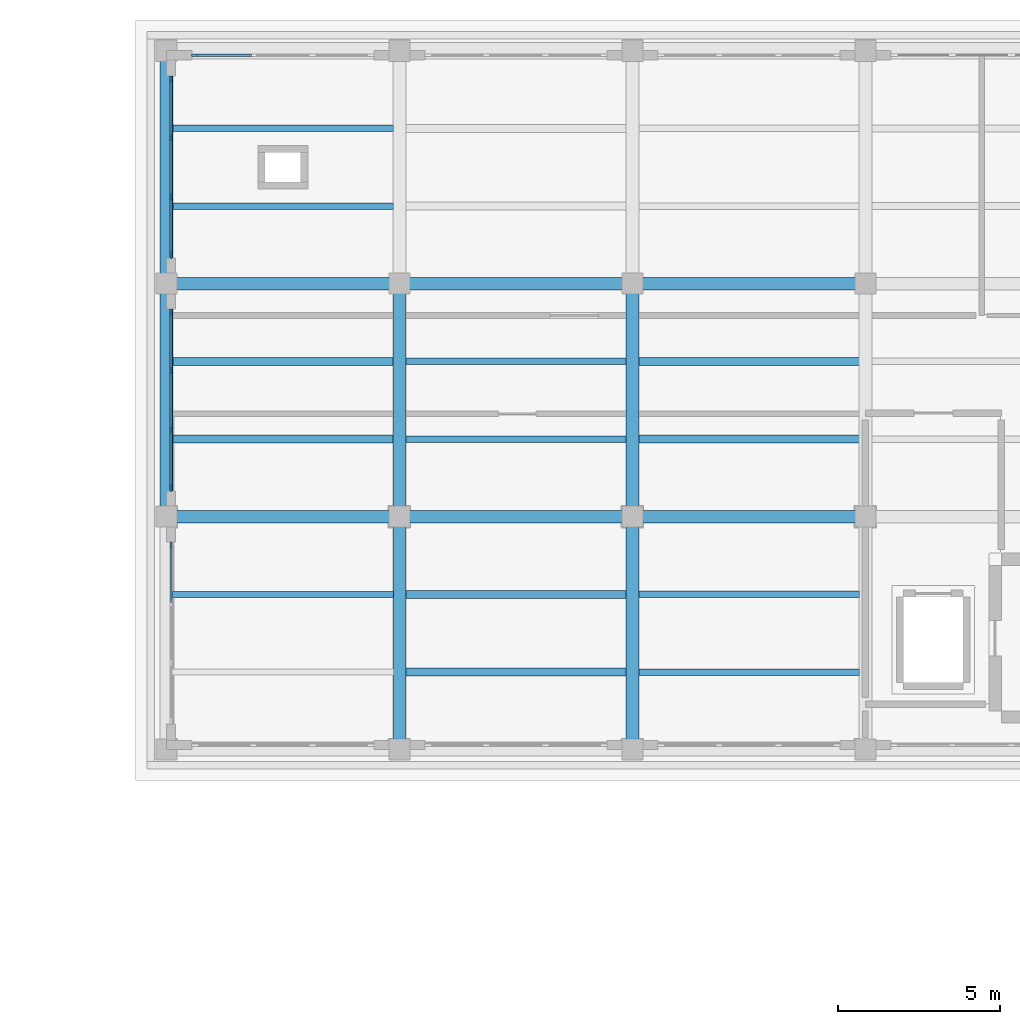
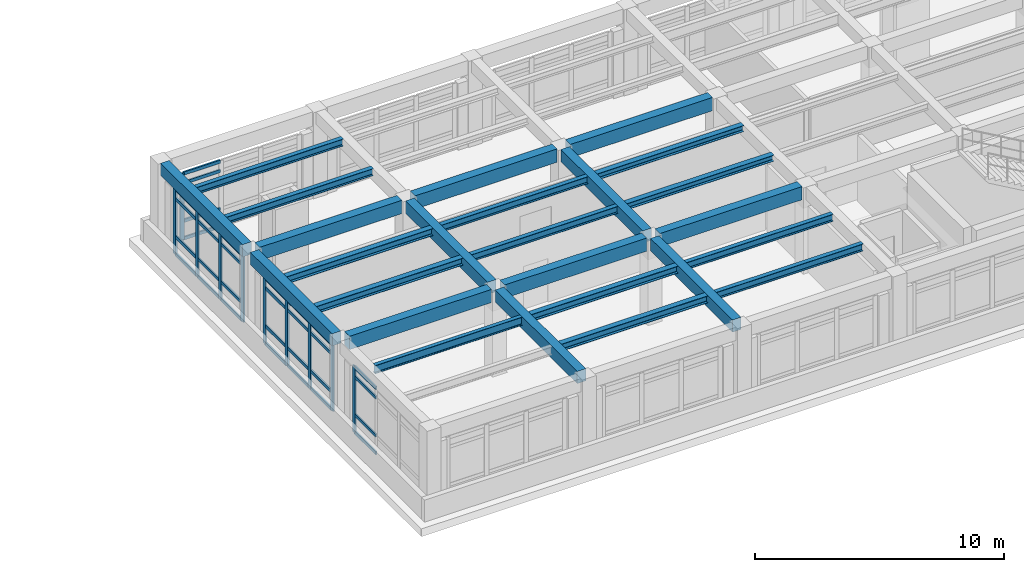
# One storey, part 23 of 55: 42 members, 25 beams, 4 elements without a shape of their own.
"""IFC4 building model written with IfcOpenShell, lengths in metres."""

from ifc_helpers import new_model, si_unit, direction, frame, origin, origin_2d, place, context, subcontext, project, spatial, rectangle, i_section, extrude, material, layer, layer_set, material_profile, profile_set, type_object, element, aggregate, save


model = new_model("IFC4")

# Units and contexts
model_context = context("Model", 3, precision=1e-05, world=origin(), true_north=direction((0.0, 1.0)))
body_context = subcontext(model_context, "Body", "Model", "MODEL_VIEW")
ifc_project = project(units=[si_unit("LENGTHUNIT", "METRE"), si_unit("AREAUNIT", "SQUARE_METRE"), si_unit("VOLUMEUNIT", "CUBIC_METRE"), si_unit("PLANEANGLEUNIT", "RADIAN"), si_unit("MASSUNIT", "GRAM", prefix="KILO")], contexts=[model_context])

# Site, building, storey
site_placement = place(None, origin())
site = spatial("IfcSite", under=ifc_project, at=site_placement, CompositionType="ELEMENT")
building_placement = place(site_placement, origin())
building = spatial("IfcBuilding", under=site, at=building_placement, Name="Solenvale Faculty of Natural Sciences", CompositionType="ELEMENT")
storey_placement = place(building_placement, frame((0.0, 0.0, 22.5)))
storey = spatial("IfcBuildingStorey", under=building, at=storey_placement, Name="L05", CompositionType="ELEMENT", Elevation=22.5)

# Beams
ifc_material_1 = material(Name="Concrete 40 MPa", Category="concrete")
ifc_material_profile_1 = material_profile(ifc_material_1, rectangle(XDim=0.39990234375, YDim=0.60009765625, at=origin_2d()), Name="RC-BM-400x600")
ifc_profile_set_1 = profile_set([ifc_material_profile_1], Name="Concrete 40 MPa")
beam_type_1 = type_object("IfcBeamType", Name="BM-RC-400x600", PredefinedType="BEAM", material=ifc_profile_set_1)
for number, where, z_axis, x_axis, name in (
    (1, (79.199951171875, 101.10498046875, 3.919921875), (0.0, 1.0, 0.0), (-1.0, 0.0, 0.0), "L05 Y-Girder X79.2 (100.8..108.0)"),
    (2, (79.199951171875, 108.304931640625, 3.919921875), (0.0, 1.0, 0.0), (-1.0, 0.0, 0.0), "L05 Y-Girder X79.2 (108.0..115.2)"),
    (3, (86.39990234375, 93.905029296875, 3.919921875), (0.0, 1.0, 0.0), (-1.0, 0.0, 0.0), "L05 Y-Girder X86.4 (93.6..100.8)"),
    (4, (86.39990234375, 101.10498046875, 3.919921875), (0.0, 1.0, 0.0), (-1.0, 0.0, 0.0), "L05 Y-Girder X86.4 (100.8..108.0)"),
    (5, (93.60009765625, 93.905029296875, 3.919921875), (0.0, 1.0, 0.0), (-1.0, 0.0, 0.0), "L05 Y-Girder X93.6 (93.6..100.8)"),
    (6, (93.60009765625, 101.10498046875, 3.919921875), (0.0, 1.0, 0.0), (-1.0, 0.0, 0.0), "L05 Y-Girder X93.6 (100.8..108.0)"),
):
    element("IfcBeam", number, at=place(storey_placement, frame(where, z_axis=z_axis, x_axis=x_axis)), inside=storey, type_object=beam_type_1, Name=name, PredefinedType="BEAM", context=body_context, shape_type="SweptSolid", body=[
        extrude(rectangle(XDim=0.39990234375, YDim=0.60009765625, at=origin_2d()), origin(), (0.0, 0.0, 1.0), 6.590087890625),
    ])
ifc_material_profile_2 = material_profile(ifc_material_1, rectangle(XDim=0.39990234375, YDim=0.64990234375, at=origin_2d()), Name="RC-BM-400x650")
ifc_profile_set_2 = profile_set([ifc_material_profile_2], Name="Concrete 40 MPa")
beam_type_2 = type_object("IfcBeamType", Name="BM-RC-400x650", PredefinedType="BEAM", material=ifc_profile_set_2)
beam_1_placement = place(storey_placement, frame((79.5048828125, 100.800048828125, 3.89501953125), z_axis=(1.0, 0.0, 0.0), x_axis=(0.0, 1.0, 0.0)))
element("IfcBeam", 7, at=beam_1_placement, inside=storey, type_object=beam_type_2, Name="L05 X-Girder Y100.8 (79.2..86.4)", PredefinedType="BEAM", context=body_context, shape_type="SweptSolid", body=[
    extrude(rectangle(XDim=0.39990234375, YDim=0.64990234375, at=origin_2d()), origin(), (0.0, 0.0, 1.0), 6.590087890625),
])
beam_2_placement = place(storey_placement, frame((86.705078125, 100.800048828125, 3.89501953125), z_axis=(1.0, 0.0, 0.0), x_axis=(0.0, 1.0, 0.0)))
element("IfcBeam", 8, at=beam_2_placement, inside=storey, type_object=beam_type_2, Name="L05 X-Girder Y100.8 (86.4..93.6)", PredefinedType="BEAM", context=body_context, shape_type="SweptSolid", body=[
    extrude(rectangle(XDim=0.39990234375, YDim=0.64990234375, at=origin_2d()), origin(), (0.0, 0.0, 1.0), 6.58984375),
])
for number, where, z_axis, x_axis, name in (
    (9, (93.905029296875, 100.800048828125, 3.89501953125), (1.0, 0.0, 0.0), (0.0, 1.0, 0.0), "L05 X-Girder Y100.8 (93.6..100.8)"),
    (10, (79.5048828125, 108.0, 3.89501953125), (1.0, 0.0, 0.0), (0.0, 1.0, 0.0), "L05 X-Girder Y108.0 (79.2..86.4)"),
):
    element("IfcBeam", number, at=place(storey_placement, frame(where, z_axis=z_axis, x_axis=x_axis)), inside=storey, type_object=beam_type_2, Name=name, PredefinedType="BEAM", context=body_context, shape_type="SweptSolid", body=[
        extrude(rectangle(XDim=0.39990234375, YDim=0.64990234375, at=origin_2d()), origin(), (0.0, 0.0, 1.0), 6.590087890625),
    ])
beam_3_placement = place(storey_placement, frame((86.705078125, 108.0, 3.89501953125), z_axis=(1.0, 0.0, 0.0), x_axis=(0.0, 1.0, 0.0)))
element("IfcBeam", 11, at=beam_3_placement, inside=storey, type_object=beam_type_2, Name="L05 X-Girder Y108.0 (86.4..93.6)", PredefinedType="BEAM", context=body_context, shape_type="SweptSolid", body=[
    extrude(rectangle(XDim=0.39990234375, YDim=0.64990234375, at=origin_2d()), origin(), (0.0, 0.0, 1.0), 6.58984375),
])
beam_4_placement = place(storey_placement, frame((93.905029296875, 108.0, 3.89501953125), z_axis=(1.0, 0.0, 0.0), x_axis=(0.0, 1.0, 0.0)))
element("IfcBeam", 12, at=beam_4_placement, inside=storey, type_object=beam_type_2, Name="L05 X-Girder Y108.0 (93.6..100.8)", PredefinedType="BEAM", context=body_context, shape_type="SweptSolid", body=[
    extrude(rectangle(XDim=0.39990234375, YDim=0.64990234375, at=origin_2d()), origin(), (0.0, 0.0, 1.0), 6.590087890625),
])
ifc_material_2 = material(Name="Steel S355", Category="steel")
ifc_material_profile_3 = material_profile(ifc_material_2, i_section(OverallWidth=0.25390625, OverallDepth=0.305908203125, WebThickness=0.0087890625, FlangeThickness=0.0146484375, FilletRadius=0.014892578125, at=origin_2d()), Name="W310x79")
ifc_profile_set_3 = profile_set([ifc_material_profile_3], Name="Steel S355")
beam_type_3 = type_object("IfcBeamType", Name="BM-STL-W310x79", PredefinedType="JOIST", material=ifc_profile_set_3)
for number, where, z_axis, x_axis, name in (
    (13, (93.780029296875, 103.199951171875, 4.06689453125), (1.0, 0.0, 0.0), (0.0, 1.0, 0.0), "L05 Composite Floor Joist (14,15).1"),
    (14, (93.780029296875, 105.60009765625, 4.06689453125), (1.0, 0.0, 0.0), (0.0, 1.0, 0.0), "L05 Composite Floor Joist (14,15).2"),
):
    element("IfcBeam", number, at=place(storey_placement, frame(where, z_axis=z_axis, x_axis=x_axis)), inside=storey, type_object=beam_type_3, Name=name, PredefinedType="JOIST", context=body_context, shape_type="SweptSolid", body=[
        extrude(i_section(OverallWidth=0.25390625, OverallDepth=0.305908203125, WebThickness=0.0087890625, FlangeThickness=0.0146484375, FilletRadius=0.014892578125, at=origin_2d()), origin(), (0.0, 0.0, 1.0), 6.840087890625),
    ])
ifc_material_profile_4 = material_profile(ifc_material_2, i_section(OverallWidth=0.2548828125, OverallDepth=0.35693359375, WebThickness=0.010498046875, FlangeThickness=0.018310546875, FilletRadius=0.014892578125, at=origin_2d()), Name="W360x101")
ifc_profile_set_4 = profile_set([ifc_material_profile_4], Name="Steel S355")
beam_type_4 = type_object("IfcBeamType", Name="BM-STL-W360x101", PredefinedType="JOIST", material=ifc_profile_set_4)
for number, where, z_axis, x_axis, name in (
    (15, (79.3798828125, 103.199951171875, 4.04150390625), (1.0, 0.0, 0.0), (0.0, 1.0, 0.0), "L05 Composite Floor Joist (12,15).1"),
    (16, (79.3798828125, 105.60009765625, 4.04150390625), (1.0, 0.0, 0.0), (0.0, 1.0, 0.0), "L05 Composite Floor Joist (12,15).2"),
):
    element("IfcBeam", number, at=place(storey_placement, frame(where, z_axis=z_axis, x_axis=x_axis)), inside=storey, type_object=beam_type_4, Name=name, PredefinedType="JOIST", context=body_context, shape_type="SweptSolid", body=[
        extrude(i_section(OverallWidth=0.2548828125, OverallDepth=0.35693359375, WebThickness=0.010498046875, FlangeThickness=0.018310546875, FilletRadius=0.014892578125, at=origin_2d()), origin(), (0.0, 0.0, 1.0), 6.840087890625),
    ])
for number, where, z_axis, x_axis, name in (
    (17, (86.580078125, 96.0, 4.04150390625), (1.0, 0.0, 0.0), (0.0, 1.0, 0.0), "L05 Composite Floor Joist (13,14).1"),
    (18, (86.580078125, 98.39990234375, 4.04150390625), (1.0, 0.0, 0.0), (0.0, 1.0, 0.0), "L05 Composite Floor Joist (13,14).2"),
):
    element("IfcBeam", number, at=place(storey_placement, frame(where, z_axis=z_axis, x_axis=x_axis)), inside=storey, type_object=beam_type_4, Name=name, PredefinedType="JOIST", context=body_context, shape_type="SweptSolid", body=[
        extrude(i_section(OverallWidth=0.2548828125, OverallDepth=0.35693359375, WebThickness=0.010498046875, FlangeThickness=0.018310546875, FilletRadius=0.014892578125, at=origin_2d()), origin(), (0.0, 0.0, 1.0), 6.83984375),
    ])
ifc_material_profile_5 = material_profile(ifc_material_2, i_section(OverallWidth=0.2041015625, OverallDepth=0.35009765625, WebThickness=0.008544921875, FlangeThickness=0.01513671875, FilletRadius=0.014892578125, at=origin_2d()), Name="W360x72")
ifc_profile_set_5 = profile_set([ifc_material_profile_5], Name="Steel S355")
beam_type_5 = type_object("IfcBeamType", Name="BM-STL-W360x72", PredefinedType="JOIST", material=ifc_profile_set_5)
for number, where, z_axis, x_axis, name in (
    (19, (79.3798828125, 110.39990234375, 4.044921875), (1.0, 0.0, 0.0), (0.0, 1.0, 0.0), "L05 Composite Floor Joist (12,16).1"),
    (20, (79.3798828125, 112.800048828125, 4.044921875), (1.0, 0.0, 0.0), (0.0, 1.0, 0.0), "L05 Composite Floor Joist (12,16).2"),
):
    element("IfcBeam", number, at=place(storey_placement, frame(where, z_axis=z_axis, x_axis=x_axis)), inside=storey, type_object=beam_type_5, Name=name, PredefinedType="JOIST", context=body_context, shape_type="SweptSolid", body=[
        extrude(i_section(OverallWidth=0.2041015625, OverallDepth=0.35009765625, WebThickness=0.008544921875, FlangeThickness=0.01513671875, FilletRadius=0.014892578125, at=origin_2d()), origin(), (0.0, 0.0, 1.0), 6.840087890625),
    ])
for number, where, z_axis, x_axis, name in (
    (21, (86.580078125, 103.199951171875, 4.044921875), (1.0, 0.0, 0.0), (0.0, 1.0, 0.0), "L05 Composite Floor Joist (13,15).1"),
    (22, (86.580078125, 105.60009765625, 4.044921875), (1.0, 0.0, 0.0), (0.0, 1.0, 0.0), "L05 Composite Floor Joist (13,15).2"),
):
    element("IfcBeam", number, at=place(storey_placement, frame(where, z_axis=z_axis, x_axis=x_axis)), inside=storey, type_object=beam_type_5, Name=name, PredefinedType="JOIST", context=body_context, shape_type="SweptSolid", body=[
        extrude(i_section(OverallWidth=0.2041015625, OverallDepth=0.35009765625, WebThickness=0.008544921875, FlangeThickness=0.01513671875, FilletRadius=0.014892578125, at=origin_2d()), origin(), (0.0, 0.0, 1.0), 6.83984375),
    ])
for number, where, z_axis, x_axis, name in (
    (23, (93.780029296875, 96.0, 4.044921875), (1.0, 0.0, 0.0), (0.0, 1.0, 0.0), "L05 Composite Floor Joist (14,14).1"),
    (24, (93.780029296875, 98.39990234375, 4.044921875), (1.0, 0.0, 0.0), (0.0, 1.0, 0.0), "L05 Composite Floor Joist (14,14).2"),
):
    element("IfcBeam", number, at=place(storey_placement, frame(where, z_axis=z_axis, x_axis=x_axis)), inside=storey, type_object=beam_type_5, Name=name, PredefinedType="JOIST", context=body_context, shape_type="SweptSolid", body=[
        extrude(i_section(OverallWidth=0.2041015625, OverallDepth=0.35009765625, WebThickness=0.008544921875, FlangeThickness=0.01513671875, FilletRadius=0.014892578125, at=origin_2d()), origin(), (0.0, 0.0, 1.0), 6.840087890625),
    ])
ifc_material_profile_6 = material_profile(ifc_material_2, i_section(OverallWidth=0.178955078125, OverallDepth=0.409912109375, WebThickness=0.0087890625, FlangeThickness=0.014404296875, FilletRadius=0.01611328125, at=origin_2d()), Name="W410x67")
ifc_profile_set_6 = profile_set([ifc_material_profile_6], Name="Steel S355")
beam_type_6 = type_object("IfcBeamType", Name="BM-STL-W410x67", PredefinedType="JOIST", material=ifc_profile_set_6)
beam_5_placement = place(storey_placement, frame((79.3798828125, 98.39990234375, 4.014892578125), z_axis=(1.0, 0.0, 0.0), x_axis=(0.0, 1.0, 0.0)))
element("IfcBeam", 25, at=beam_5_placement, inside=storey, type_object=beam_type_6, Name="L05 Composite Floor Joist (12,14).2", PredefinedType="JOIST", context=body_context, shape_type="SweptSolid", body=[
    extrude(i_section(OverallWidth=0.178955078125, OverallDepth=0.409912109375, WebThickness=0.0087890625, FlangeThickness=0.014404296875, FilletRadius=0.01611328125, at=origin_2d()), origin(), (0.0, 0.0, 1.0), 6.840087890625),
])

# Curtain wall, member
ifc_material_3 = material(Name="Anodised bronze aluminium", Category="aluminium")
ifc_layer = layer(ifc_material_3, 0.179931640625)
ifc_layer_set = layer_set([ifc_layer], Name="Anodised bronze aluminium")
curtain_wall_type = type_object("IfcCurtainWallType", Name="CW-TWR-MOD", PredefinedType="USERDEFINED", material=ifc_layer_set)
curtain_wall_1_placement = place(storey_placement, origin())
curtain_wall_1 = element("IfcCurtainWall", 26, at=curtain_wall_1_placement, inside=storey, type_object=curtain_wall_type, Name="L05 Curtain Wall CW-L05-P2-E3-B10", ObjectType="UNITISED CURTAIN WALL", PredefinedType="USERDEFINED")
ifc_material_profile_7 = material_profile(ifc_material_3, rectangle(XDim=0.074951171875, YDim=0.2099609375, at=origin_2d()), Name="ALU-MUL-75x210")
ifc_profile_set_7 = profile_set([ifc_material_profile_7], Name="Anodised bronze aluminium")
member_type_1 = type_object("IfcMemberType", Name="CWM-ALU-75x210", PredefinedType="MULLION", material=ifc_profile_set_7)
member_1_placement = place(storey_placement, frame((80.08740234375, 115.0576171875, 0.0), z_axis=(0.0, 0.0, 1.0), x_axis=(0.0, -1.0, 0.0)))
member_1 = element("IfcMember", 27, at=member_1_placement, type_object=member_type_1, Name="CW-04 mullion 4", PredefinedType="MULLION", context=body_context, shape_type="SweptSolid", body=[
    extrude(rectangle(XDim=0.074951171875, YDim=0.2099609375, at=origin_2d()), origin(), (0.0, 0.0, 1.0), 3.260009765625),
])

# Curtain wall, members
curtain_wall_2_placement = place(storey_placement, origin())
curtain_wall_2 = element("IfcCurtainWall", 28, at=curtain_wall_2_placement, inside=storey, type_object=curtain_wall_type, Name="L05 Curtain Wall CW-L05-P2-E4-B1", ObjectType="UNITISED CURTAIN WALL", PredefinedType="USERDEFINED")
member_2_placement = place(storey_placement, frame((79.342529296875, 114.3125, 0.0), z_axis=(0.0, 0.0, 1.0), x_axis=(1.0, 0.0, 0.0)))
member_2 = element("IfcMember", 29, at=member_2_placement, type_object=member_type_1, Name="CW-04 mullion 1", PredefinedType="MULLION", context=body_context, shape_type="SweptSolid", body=[
    extrude(rectangle(XDim=0.074951171875, YDim=0.2099609375, at=origin_2d()), origin(), (0.0, 0.0, 1.0), 3.260009765625),
])
member_3_placement = place(storey_placement, frame((79.342529296875, 112.5166015625, 0.0), z_axis=(0.0, 0.0, 1.0), x_axis=(1.0, 0.0, 0.0)))
member_3 = element("IfcMember", 30, at=member_3_placement, type_object=member_type_1, Name="CW-04 mullion 2", PredefinedType="MULLION", context=body_context, shape_type="SweptSolid", body=[
    extrude(rectangle(XDim=0.074951171875, YDim=0.2099609375, at=origin_2d()), origin(), (0.0, 0.0, 1.0), 3.260009765625),
])
member_4_placement = place(storey_placement, frame((79.342529296875, 110.683349609375, 0.0), z_axis=(0.0, 0.0, 1.0), x_axis=(1.0, 0.0, 0.0)))
member_4 = element("IfcMember", 31, at=member_4_placement, type_object=member_type_1, Name="CW-04 mullion 3", PredefinedType="MULLION", context=body_context, shape_type="SweptSolid", body=[
    extrude(rectangle(XDim=0.074951171875, YDim=0.2099609375, at=origin_2d()), origin(), (0.0, 0.0, 1.0), 3.260009765625),
])
member_5_placement = place(storey_placement, frame((79.342529296875, 108.887451171875, 0.0), z_axis=(0.0, 0.0, 1.0), x_axis=(1.0, 0.0, 0.0)))
member_5 = element("IfcMember", 32, at=member_5_placement, type_object=member_type_1, Name="CW-04 mullion 4", PredefinedType="MULLION", context=body_context, shape_type="SweptSolid", body=[
    extrude(rectangle(XDim=0.074951171875, YDim=0.2099609375, at=origin_2d()), origin(), (0.0, 0.0, 1.0), 3.260009765625),
])

curtain_wall_3_placement = place(storey_placement, origin())
curtain_wall_3 = element("IfcCurtainWall", 33, at=curtain_wall_3_placement, inside=storey, type_object=curtain_wall_type, Name="L05 Curtain Wall CW-L05-P2-E4-B2", ObjectType="UNITISED CURTAIN WALL", PredefinedType="USERDEFINED")
member_6_placement = place(storey_placement, frame((79.342529296875, 107.112548828125, 0.0), z_axis=(0.0, 0.0, 1.0), x_axis=(1.0, 0.0, 0.0)))
member_6 = element("IfcMember", 34, at=member_6_placement, type_object=member_type_1, Name="CW-04 mullion 1", PredefinedType="MULLION", context=body_context, shape_type="SweptSolid", body=[
    extrude(rectangle(XDim=0.074951171875, YDim=0.2099609375, at=origin_2d()), origin(), (0.0, 0.0, 1.0), 3.260009765625),
])
member_7_placement = place(storey_placement, frame((79.342529296875, 105.316650390625, 0.0), z_axis=(0.0, 0.0, 1.0), x_axis=(1.0, 0.0, 0.0)))
member_7 = element("IfcMember", 35, at=member_7_placement, type_object=member_type_1, Name="CW-04 mullion 2", PredefinedType="MULLION", context=body_context, shape_type="SweptSolid", body=[
    extrude(rectangle(XDim=0.074951171875, YDim=0.2099609375, at=origin_2d()), origin(), (0.0, 0.0, 1.0), 3.260009765625),
])
member_8_placement = place(storey_placement, frame((79.342529296875, 103.4833984375, 0.0), z_axis=(0.0, 0.0, 1.0), x_axis=(1.0, 0.0, 0.0)))
member_8 = element("IfcMember", 36, at=member_8_placement, type_object=member_type_1, Name="CW-04 mullion 3", PredefinedType="MULLION", context=body_context, shape_type="SweptSolid", body=[
    extrude(rectangle(XDim=0.074951171875, YDim=0.2099609375, at=origin_2d()), origin(), (0.0, 0.0, 1.0), 3.260009765625),
])
member_9_placement = place(storey_placement, frame((79.342529296875, 101.6875, 0.0), z_axis=(0.0, 0.0, 1.0), x_axis=(1.0, 0.0, 0.0)))
member_9 = element("IfcMember", 37, at=member_9_placement, type_object=member_type_1, Name="CW-04 mullion 4", PredefinedType="MULLION", context=body_context, shape_type="SweptSolid", body=[
    extrude(rectangle(XDim=0.074951171875, YDim=0.2099609375, at=origin_2d()), origin(), (0.0, 0.0, 1.0), 3.260009765625),
])

# Curtain wall, member
curtain_wall_4_placement = place(storey_placement, origin())
curtain_wall_4 = element("IfcCurtainWall", 38, at=curtain_wall_4_placement, inside=storey, type_object=curtain_wall_type, Name="L05 Curtain Wall CW-L05-P2-E4-B3", ObjectType="UNITISED CURTAIN WALL", PredefinedType="USERDEFINED")
member_10_placement = place(storey_placement, frame((79.342529296875, 99.91259765625, 0.0), z_axis=(0.0, 0.0, 1.0), x_axis=(1.0, 0.0, 0.0)))
member_10 = element("IfcMember", 39, at=member_10_placement, type_object=member_type_1, Name="CW-04 mullion 1", PredefinedType="MULLION", context=body_context, shape_type="SweptSolid", body=[
    extrude(rectangle(XDim=0.074951171875, YDim=0.2099609375, at=origin_2d()), origin(), (0.0, 0.0, 1.0), 3.260009765625),
])

# Member
ifc_material_profile_8 = material_profile(ifc_material_3, rectangle(XDim=0.074951171875, YDim=0.155029296875, at=origin_2d()), Name="ALU-TRN-75x155")
ifc_profile_set_8 = profile_set([ifc_material_profile_8], Name="Anodised bronze aluminium")
member_type_2 = type_object("IfcMemberType", Name="CWT-ALU-75x155", PredefinedType="USERDEFINED", material=ifc_profile_set_8)
member_11_placement = place(storey_placement, frame((81.845947265625, 115.0576171875, 0.03759765625), z_axis=(-1.0, 0.0, 0.0), x_axis=(0.0, -1.0, 0.0)))
member_11 = element("IfcMember", 40, at=member_11_placement, type_object=member_type_2, Name="CW-04 transom 3.1", ObjectType="TRANSOM", PredefinedType="USERDEFINED", context=body_context, shape_type="SweptSolid", body=[
    extrude(rectangle(XDim=0.074951171875, YDim=0.155029296875, at=origin_2d()), origin(), (0.0, 0.0, 1.0), 1.720947265625),
])

member_12_placement = place(storey_placement, frame((81.845947265625, 115.0576171875, 0.89990234375), z_axis=(-1.0, 0.0, 0.0), x_axis=(0.0, -1.0, 0.0)))
member_12 = element("IfcMember", 41, at=member_12_placement, type_object=member_type_2, Name="CW-04 transom 3.2", ObjectType="TRANSOM", PredefinedType="USERDEFINED", context=body_context, shape_type="SweptSolid", body=[
    extrude(rectangle(XDim=0.074951171875, YDim=0.155029296875, at=origin_2d()), origin(), (0.0, 0.0, 1.0), 1.720947265625),
])

member_13_placement = place(storey_placement, frame((81.845947265625, 115.0576171875, 2.760009765625), z_axis=(-1.0, 0.0, 0.0), x_axis=(0.0, -1.0, 0.0)))
member_13 = element("IfcMember", 42, at=member_13_placement, type_object=member_type_2, Name="CW-04 transom 3.3", ObjectType="TRANSOM", PredefinedType="USERDEFINED", context=body_context, shape_type="SweptSolid", body=[
    extrude(rectangle(XDim=0.074951171875, YDim=0.155029296875, at=origin_2d()), origin(), (0.0, 0.0, 1.0), 1.720947265625),
])

member_14_placement = place(storey_placement, frame((81.845947265625, 115.0576171875, 3.222412109375), z_axis=(-1.0, 0.0, 0.0), x_axis=(0.0, -1.0, 0.0)))
member_14 = element("IfcMember", 43, at=member_14_placement, type_object=member_type_2, Name="CW-04 transom 3.4", ObjectType="TRANSOM", PredefinedType="USERDEFINED", context=body_context, shape_type="SweptSolid", body=[
    extrude(rectangle(XDim=0.074951171875, YDim=0.155029296875, at=origin_2d()), origin(), (0.0, 0.0, 1.0), 1.720947265625),
])

aggregate(curtain_wall_1, [member_1, member_11, member_12, member_13, member_14])

member_15_placement = place(storey_placement, frame((79.342529296875, 114.27490234375, 0.03759765625), z_axis=(0.0, -1.0, 0.0), x_axis=(1.0, 0.0, 0.0)))
member_15 = element("IfcMember", 44, at=member_15_placement, type_object=member_type_2, Name="CW-04 transom 1.1", ObjectType="TRANSOM", PredefinedType="USERDEFINED", context=body_context, shape_type="SweptSolid", body=[
    extrude(rectangle(XDim=0.074951171875, YDim=0.155029296875, at=origin_2d()), origin(), (0.0, 0.0, 1.0), 1.720703125),
])

member_16_placement = place(storey_placement, frame((79.342529296875, 114.27490234375, 0.89990234375), z_axis=(0.0, -1.0, 0.0), x_axis=(1.0, 0.0, 0.0)))
member_16 = element("IfcMember", 45, at=member_16_placement, type_object=member_type_2, Name="CW-04 transom 1.2", ObjectType="TRANSOM", PredefinedType="USERDEFINED", context=body_context, shape_type="SweptSolid", body=[
    extrude(rectangle(XDim=0.074951171875, YDim=0.155029296875, at=origin_2d()), origin(), (0.0, 0.0, 1.0), 1.720703125),
])

member_17_placement = place(storey_placement, frame((79.342529296875, 114.27490234375, 2.760009765625), z_axis=(0.0, -1.0, 0.0), x_axis=(1.0, 0.0, 0.0)))
member_17 = element("IfcMember", 46, at=member_17_placement, type_object=member_type_2, Name="CW-04 transom 1.3", ObjectType="TRANSOM", PredefinedType="USERDEFINED", context=body_context, shape_type="SweptSolid", body=[
    extrude(rectangle(XDim=0.074951171875, YDim=0.155029296875, at=origin_2d()), origin(), (0.0, 0.0, 1.0), 1.720703125),
])

member_18_placement = place(storey_placement, frame((79.342529296875, 114.27490234375, 3.222412109375), z_axis=(0.0, -1.0, 0.0), x_axis=(1.0, 0.0, 0.0)))
member_18 = element("IfcMember", 47, at=member_18_placement, type_object=member_type_2, Name="CW-04 transom 1.4", ObjectType="TRANSOM", PredefinedType="USERDEFINED", context=body_context, shape_type="SweptSolid", body=[
    extrude(rectangle(XDim=0.074951171875, YDim=0.155029296875, at=origin_2d()), origin(), (0.0, 0.0, 1.0), 1.720703125),
])

member_19_placement = place(storey_placement, frame((79.342529296875, 112.479248046875, 0.03759765625), z_axis=(0.0, -1.0, 0.0), x_axis=(1.0, 0.0, 0.0)))
member_19 = element("IfcMember", 48, at=member_19_placement, type_object=member_type_2, Name="CW-04 transom 2.1", ObjectType="TRANSOM", PredefinedType="USERDEFINED", context=body_context, shape_type="SweptSolid", body=[
    extrude(rectangle(XDim=0.074951171875, YDim=0.155029296875, at=origin_2d()), origin(), (0.0, 0.0, 1.0), 1.75830078125),
])

member_20_placement = place(storey_placement, frame((79.342529296875, 112.479248046875, 0.89990234375), z_axis=(0.0, -1.0, 0.0), x_axis=(1.0, 0.0, 0.0)))
member_20 = element("IfcMember", 49, at=member_20_placement, type_object=member_type_2, Name="CW-04 transom 2.2", ObjectType="TRANSOM", PredefinedType="USERDEFINED", context=body_context, shape_type="SweptSolid", body=[
    extrude(rectangle(XDim=0.074951171875, YDim=0.155029296875, at=origin_2d()), origin(), (0.0, 0.0, 1.0), 1.75830078125),
])

member_21_placement = place(storey_placement, frame((79.342529296875, 112.479248046875, 2.760009765625), z_axis=(0.0, -1.0, 0.0), x_axis=(1.0, 0.0, 0.0)))
member_21 = element("IfcMember", 50, at=member_21_placement, type_object=member_type_2, Name="CW-04 transom 2.3", ObjectType="TRANSOM", PredefinedType="USERDEFINED", context=body_context, shape_type="SweptSolid", body=[
    extrude(rectangle(XDim=0.074951171875, YDim=0.155029296875, at=origin_2d()), origin(), (0.0, 0.0, 1.0), 1.75830078125),
])

member_22_placement = place(storey_placement, frame((79.342529296875, 112.479248046875, 3.222412109375), z_axis=(0.0, -1.0, 0.0), x_axis=(1.0, 0.0, 0.0)))
member_22 = element("IfcMember", 51, at=member_22_placement, type_object=member_type_2, Name="CW-04 transom 2.4", ObjectType="TRANSOM", PredefinedType="USERDEFINED", context=body_context, shape_type="SweptSolid", body=[
    extrude(rectangle(XDim=0.074951171875, YDim=0.155029296875, at=origin_2d()), origin(), (0.0, 0.0, 1.0), 1.75830078125),
])

member_23_placement = place(storey_placement, frame((79.342529296875, 110.645751953125, 0.03759765625), z_axis=(0.0, -1.0, 0.0), x_axis=(1.0, 0.0, 0.0)))
member_23 = element("IfcMember", 52, at=member_23_placement, type_object=member_type_2, Name="CW-04 transom 3.1", ObjectType="TRANSOM", PredefinedType="USERDEFINED", context=body_context, shape_type="SweptSolid", body=[
    extrude(rectangle(XDim=0.074951171875, YDim=0.155029296875, at=origin_2d()), origin(), (0.0, 0.0, 1.0), 1.720703125),
])

member_24_placement = place(storey_placement, frame((79.342529296875, 110.645751953125, 0.89990234375), z_axis=(0.0, -1.0, 0.0), x_axis=(1.0, 0.0, 0.0)))
member_24 = element("IfcMember", 53, at=member_24_placement, type_object=member_type_2, Name="CW-04 transom 3.2", ObjectType="TRANSOM", PredefinedType="USERDEFINED", context=body_context, shape_type="SweptSolid", body=[
    extrude(rectangle(XDim=0.074951171875, YDim=0.155029296875, at=origin_2d()), origin(), (0.0, 0.0, 1.0), 1.720703125),
])

member_25_placement = place(storey_placement, frame((79.342529296875, 110.645751953125, 2.760009765625), z_axis=(0.0, -1.0, 0.0), x_axis=(1.0, 0.0, 0.0)))
member_25 = element("IfcMember", 54, at=member_25_placement, type_object=member_type_2, Name="CW-04 transom 3.3", ObjectType="TRANSOM", PredefinedType="USERDEFINED", context=body_context, shape_type="SweptSolid", body=[
    extrude(rectangle(XDim=0.074951171875, YDim=0.155029296875, at=origin_2d()), origin(), (0.0, 0.0, 1.0), 1.720703125),
])

member_26_placement = place(storey_placement, frame((79.342529296875, 110.645751953125, 3.222412109375), z_axis=(0.0, -1.0, 0.0), x_axis=(1.0, 0.0, 0.0)))
member_26 = element("IfcMember", 55, at=member_26_placement, type_object=member_type_2, Name="CW-04 transom 3.4", ObjectType="TRANSOM", PredefinedType="USERDEFINED", context=body_context, shape_type="SweptSolid", body=[
    extrude(rectangle(XDim=0.074951171875, YDim=0.155029296875, at=origin_2d()), origin(), (0.0, 0.0, 1.0), 1.720703125),
])

aggregate(curtain_wall_2, [member_2, member_3, member_4, member_5, member_15, member_16, member_17, member_18, member_19, member_20, member_21, member_22, member_23, member_24, member_25, member_26])

member_27_placement = place(storey_placement, frame((79.342529296875, 107.074951171875, 0.03759765625), z_axis=(0.0, -1.0, 0.0), x_axis=(1.0, 0.0, 0.0)))
member_27 = element("IfcMember", 56, at=member_27_placement, type_object=member_type_2, Name="CW-04 transom 1.1", ObjectType="TRANSOM", PredefinedType="USERDEFINED", context=body_context, shape_type="SweptSolid", body=[
    extrude(rectangle(XDim=0.074951171875, YDim=0.155029296875, at=origin_2d()), origin(), (0.0, 0.0, 1.0), 1.720703125),
])

member_28_placement = place(storey_placement, frame((79.342529296875, 107.074951171875, 0.89990234375), z_axis=(0.0, -1.0, 0.0), x_axis=(1.0, 0.0, 0.0)))
member_28 = element("IfcMember", 57, at=member_28_placement, type_object=member_type_2, Name="CW-04 transom 1.2", ObjectType="TRANSOM", PredefinedType="USERDEFINED", context=body_context, shape_type="SweptSolid", body=[
    extrude(rectangle(XDim=0.074951171875, YDim=0.155029296875, at=origin_2d()), origin(), (0.0, 0.0, 1.0), 1.720703125),
])

member_29_placement = place(storey_placement, frame((79.342529296875, 107.074951171875, 2.760009765625), z_axis=(0.0, -1.0, 0.0), x_axis=(1.0, 0.0, 0.0)))
member_29 = element("IfcMember", 58, at=member_29_placement, type_object=member_type_2, Name="CW-04 transom 1.3", ObjectType="TRANSOM", PredefinedType="USERDEFINED", context=body_context, shape_type="SweptSolid", body=[
    extrude(rectangle(XDim=0.074951171875, YDim=0.155029296875, at=origin_2d()), origin(), (0.0, 0.0, 1.0), 1.720703125),
])

member_30_placement = place(storey_placement, frame((79.342529296875, 107.074951171875, 3.222412109375), z_axis=(0.0, -1.0, 0.0), x_axis=(1.0, 0.0, 0.0)))
member_30 = element("IfcMember", 59, at=member_30_placement, type_object=member_type_2, Name="CW-04 transom 1.4", ObjectType="TRANSOM", PredefinedType="USERDEFINED", context=body_context, shape_type="SweptSolid", body=[
    extrude(rectangle(XDim=0.074951171875, YDim=0.155029296875, at=origin_2d()), origin(), (0.0, 0.0, 1.0), 1.720703125),
])

member_31_placement = place(storey_placement, frame((79.342529296875, 105.279052734375, 0.03759765625), z_axis=(0.0, -1.0, 0.0), x_axis=(1.0, 0.0, 0.0)))
member_31 = element("IfcMember", 60, at=member_31_placement, type_object=member_type_2, Name="CW-04 transom 2.1", ObjectType="TRANSOM", PredefinedType="USERDEFINED", context=body_context, shape_type="SweptSolid", body=[
    extrude(rectangle(XDim=0.074951171875, YDim=0.155029296875, at=origin_2d()), origin(), (0.0, 0.0, 1.0), 1.75830078125),
])

member_32_placement = place(storey_placement, frame((79.342529296875, 105.279052734375, 0.89990234375), z_axis=(0.0, -1.0, 0.0), x_axis=(1.0, 0.0, 0.0)))
member_32 = element("IfcMember", 61, at=member_32_placement, type_object=member_type_2, Name="CW-04 transom 2.2", ObjectType="TRANSOM", PredefinedType="USERDEFINED", context=body_context, shape_type="SweptSolid", body=[
    extrude(rectangle(XDim=0.074951171875, YDim=0.155029296875, at=origin_2d()), origin(), (0.0, 0.0, 1.0), 1.75830078125),
])

member_33_placement = place(storey_placement, frame((79.342529296875, 105.279052734375, 2.760009765625), z_axis=(0.0, -1.0, 0.0), x_axis=(1.0, 0.0, 0.0)))
member_33 = element("IfcMember", 62, at=member_33_placement, type_object=member_type_2, Name="CW-04 transom 2.3", ObjectType="TRANSOM", PredefinedType="USERDEFINED", context=body_context, shape_type="SweptSolid", body=[
    extrude(rectangle(XDim=0.074951171875, YDim=0.155029296875, at=origin_2d()), origin(), (0.0, 0.0, 1.0), 1.75830078125),
])

member_34_placement = place(storey_placement, frame((79.342529296875, 105.279052734375, 3.222412109375), z_axis=(0.0, -1.0, 0.0), x_axis=(1.0, 0.0, 0.0)))
member_34 = element("IfcMember", 63, at=member_34_placement, type_object=member_type_2, Name="CW-04 transom 2.4", ObjectType="TRANSOM", PredefinedType="USERDEFINED", context=body_context, shape_type="SweptSolid", body=[
    extrude(rectangle(XDim=0.074951171875, YDim=0.155029296875, at=origin_2d()), origin(), (0.0, 0.0, 1.0), 1.75830078125),
])

member_35_placement = place(storey_placement, frame((79.342529296875, 103.44580078125, 0.03759765625), z_axis=(0.0, -1.0, 0.0), x_axis=(1.0, 0.0, 0.0)))
member_35 = element("IfcMember", 64, at=member_35_placement, type_object=member_type_2, Name="CW-04 transom 3.1", ObjectType="TRANSOM", PredefinedType="USERDEFINED", context=body_context, shape_type="SweptSolid", body=[
    extrude(rectangle(XDim=0.074951171875, YDim=0.155029296875, at=origin_2d()), origin(), (0.0, 0.0, 1.0), 1.720703125),
])

member_36_placement = place(storey_placement, frame((79.342529296875, 103.44580078125, 0.89990234375), z_axis=(0.0, -1.0, 0.0), x_axis=(1.0, 0.0, 0.0)))
member_36 = element("IfcMember", 65, at=member_36_placement, type_object=member_type_2, Name="CW-04 transom 3.2", ObjectType="TRANSOM", PredefinedType="USERDEFINED", context=body_context, shape_type="SweptSolid", body=[
    extrude(rectangle(XDim=0.074951171875, YDim=0.155029296875, at=origin_2d()), origin(), (0.0, 0.0, 1.0), 1.720703125),
])

member_37_placement = place(storey_placement, frame((79.342529296875, 103.44580078125, 2.760009765625), z_axis=(0.0, -1.0, 0.0), x_axis=(1.0, 0.0, 0.0)))
member_37 = element("IfcMember", 66, at=member_37_placement, type_object=member_type_2, Name="CW-04 transom 3.3", ObjectType="TRANSOM", PredefinedType="USERDEFINED", context=body_context, shape_type="SweptSolid", body=[
    extrude(rectangle(XDim=0.074951171875, YDim=0.155029296875, at=origin_2d()), origin(), (0.0, 0.0, 1.0), 1.720703125),
])

member_38_placement = place(storey_placement, frame((79.342529296875, 103.44580078125, 3.222412109375), z_axis=(0.0, -1.0, 0.0), x_axis=(1.0, 0.0, 0.0)))
member_38 = element("IfcMember", 67, at=member_38_placement, type_object=member_type_2, Name="CW-04 transom 3.4", ObjectType="TRANSOM", PredefinedType="USERDEFINED", context=body_context, shape_type="SweptSolid", body=[
    extrude(rectangle(XDim=0.074951171875, YDim=0.155029296875, at=origin_2d()), origin(), (0.0, 0.0, 1.0), 1.720703125),
])

aggregate(curtain_wall_3, [member_6, member_7, member_8, member_9, member_27, member_28, member_29, member_30, member_31, member_32, member_33, member_34, member_35, member_36, member_37, member_38])

member_39_placement = place(storey_placement, frame((79.342529296875, 99.875, 0.03759765625), z_axis=(0.0, -1.0, 0.0), x_axis=(1.0, 0.0, 0.0)))
member_39 = element("IfcMember", 68, at=member_39_placement, type_object=member_type_2, Name="CW-04 transom 1.1", ObjectType="TRANSOM", PredefinedType="USERDEFINED", context=body_context, shape_type="SweptSolid", body=[
    extrude(rectangle(XDim=0.074951171875, YDim=0.155029296875, at=origin_2d()), origin(), (0.0, 0.0, 1.0), 1.720947265625),
])

member_40_placement = place(storey_placement, frame((79.342529296875, 99.875, 0.89990234375), z_axis=(0.0, -1.0, 0.0), x_axis=(1.0, 0.0, 0.0)))
member_40 = element("IfcMember", 69, at=member_40_placement, type_object=member_type_2, Name="CW-04 transom 1.2", ObjectType="TRANSOM", PredefinedType="USERDEFINED", context=body_context, shape_type="SweptSolid", body=[
    extrude(rectangle(XDim=0.074951171875, YDim=0.155029296875, at=origin_2d()), origin(), (0.0, 0.0, 1.0), 1.720947265625),
])

member_41_placement = place(storey_placement, frame((79.342529296875, 99.875, 2.760009765625), z_axis=(0.0, -1.0, 0.0), x_axis=(1.0, 0.0, 0.0)))
member_41 = element("IfcMember", 70, at=member_41_placement, type_object=member_type_2, Name="CW-04 transom 1.3", ObjectType="TRANSOM", PredefinedType="USERDEFINED", context=body_context, shape_type="SweptSolid", body=[
    extrude(rectangle(XDim=0.074951171875, YDim=0.155029296875, at=origin_2d()), origin(), (0.0, 0.0, 1.0), 1.720947265625),
])

member_42_placement = place(storey_placement, frame((79.342529296875, 99.875, 3.222412109375), z_axis=(0.0, -1.0, 0.0), x_axis=(1.0, 0.0, 0.0)))
member_42 = element("IfcMember", 71, at=member_42_placement, type_object=member_type_2, Name="CW-04 transom 1.4", ObjectType="TRANSOM", PredefinedType="USERDEFINED", context=body_context, shape_type="SweptSolid", body=[
    extrude(rectangle(XDim=0.074951171875, YDim=0.155029296875, at=origin_2d()), origin(), (0.0, 0.0, 1.0), 1.720947265625),
])

aggregate(curtain_wall_4, [member_10, member_39, member_40, member_41, member_42])

save(model, "model.ifc")
